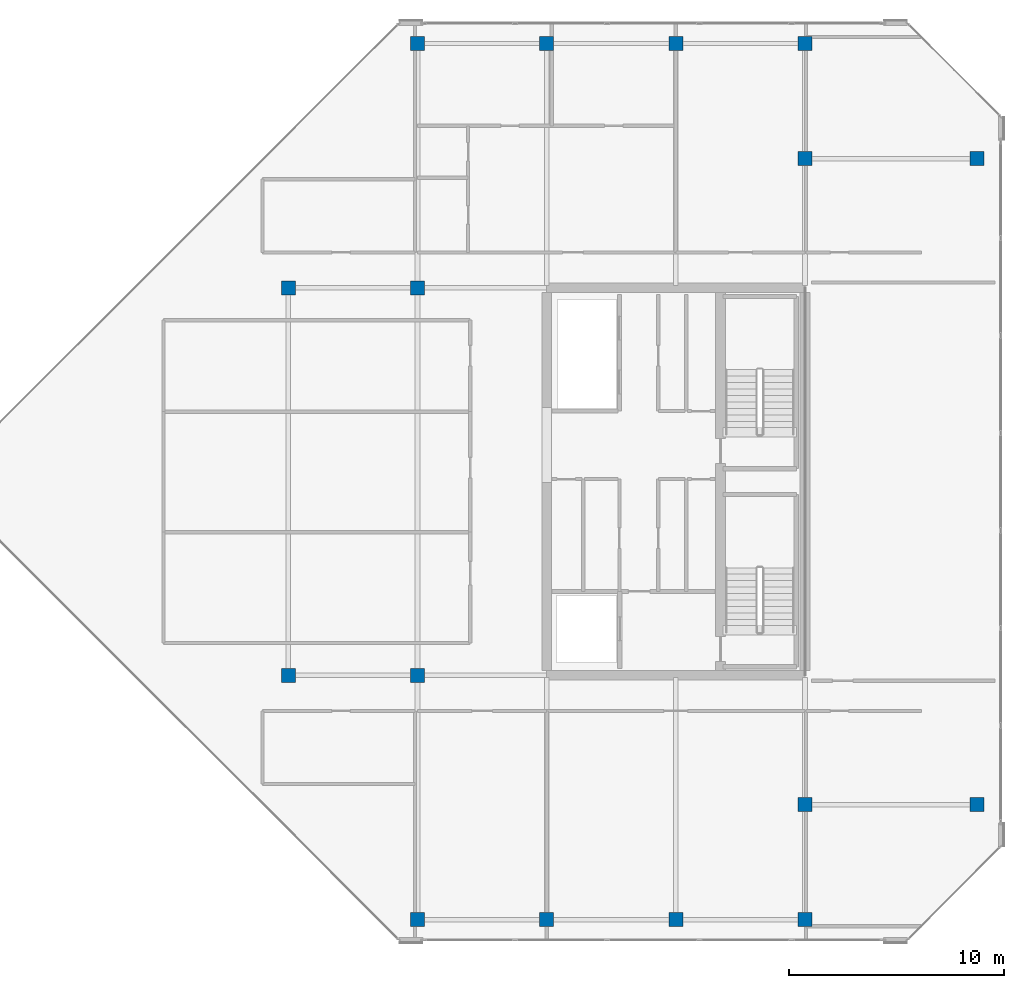
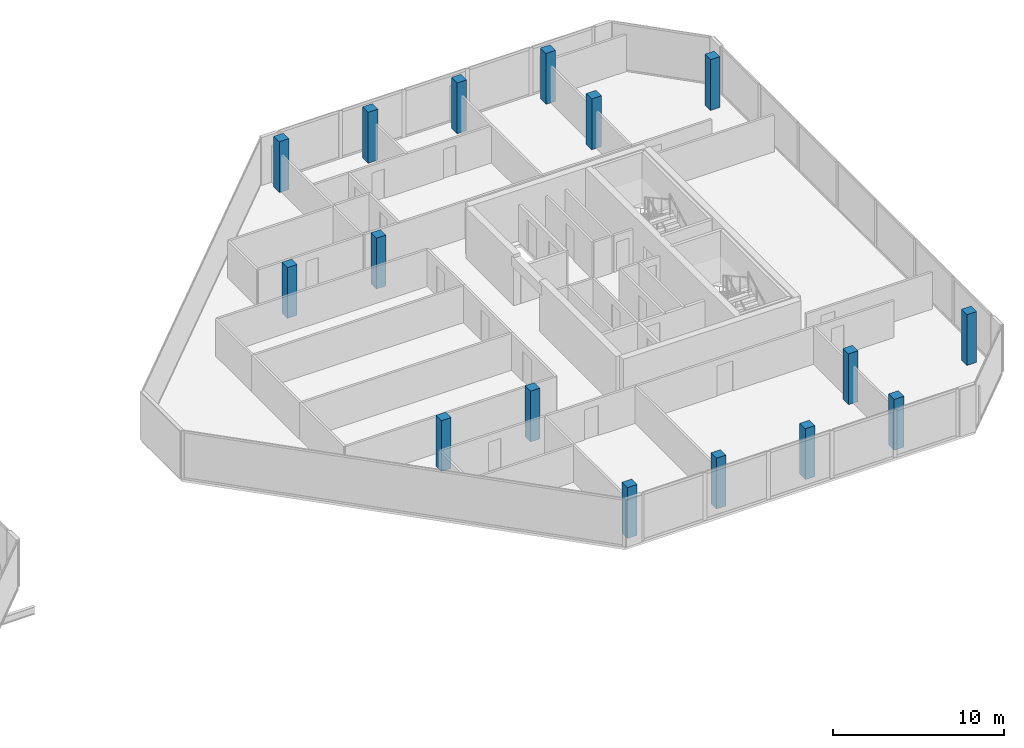
# One storey, part 1 of 28: 16 columns.
"""IFC4 building model written with IfcOpenShell, lengths in metres."""

import ifcopenshell
import ifcopenshell.guid

model = None  # the IFC model being written
_history = None  # IfcOwnerHistory: only IFC2X3 demands one
_inside = {}  # id of a spatial element -> (the spatial element, [elements in it])
_under = {}  # id of a project, library or spatial element -> (it, [spatial elements below it])
_declared = {}  # id of a project -> (the project, [libraries it declares])
_typed = {}  # id of a type object -> (the type object, [elements of that type])
_made_of = {}  # id of a material, layer set ... -> (it, [elements and type objects made of it])


def new_model(schema):
    """Start an empty IFC model of exactly this schema.

    Asked for "IFC4X3", IfcOpenShell would pick the latest addendum, in which some entities
    have other attributes; the version numbers below select the first issue.
    IFC2X3 requires an IfcOwnerHistory on every rooted entity: one is made here for all.
    """
    global model, _history
    if schema == "IFC4X3":
        model = ifcopenshell.file(schema_version=(4, 3, 0, 0))
    else:
        model = ifcopenshell.file(schema=schema)
    _inside.clear()
    _under.clear()
    _declared.clear()
    _typed.clear()
    _made_of.clear()
    _history = None
    if model.schema == "IFC2X3":
        org = make("IfcOrganization", Name="unknown")
        user = make(
            "IfcPersonAndOrganization",
            ThePerson=make("IfcPerson", FamilyName="unknown"),
            TheOrganization=org,
        )
        app = make(
            "IfcApplication",
            ApplicationDeveloper=org,
            Version="unknown",
            ApplicationFullName="unknown",
            ApplicationIdentifier="unknown",
        )
        _history = make(
            "IfcOwnerHistory",
            OwningUser=user,
            OwningApplication=app,
            ChangeAction="ADDED",
            CreationDate=0,
        )
    return model


def make(cls, **values):
    """One entity of the class cls with the attributes given. An attribute that is None is left unset."""
    return model.create_entity(
        cls, **{name: value for name, value in values.items() if value is not None}
    )


def rooted(cls, **values):
    """An entity with a GlobalId (a new one), such as an element, a storey or a relation."""
    return make(cls, GlobalId=ifcopenshell.guid.new(), OwnerHistory=_history, **values)


def si_unit(unit_type, name, prefix=None):
    """IfcSIUnit, for example si_unit("LENGTHUNIT", "METRE", prefix="MILLI")."""
    return make("IfcSIUnit", UnitType=unit_type, Prefix=prefix, Name=name)


def assignment(units):
    """IfcUnitAssignment: the units of a project."""
    return None if units is None else make("IfcUnitAssignment", Units=units)


def point(xyz):
    """IfcCartesianPoint."""
    return None if xyz is None else make("IfcCartesianPoint", Coordinates=xyz)


def direction(xyz):
    """IfcDirection."""
    return None if xyz is None else make("IfcDirection", DirectionRatios=xyz)


def frame(location, z_axis=None, x_axis=None):
    """IfcAxis2Placement3D, a coordinate frame: its origin and axes. An axis left out is left unset."""
    return make(
        "IfcAxis2Placement3D",
        Location=point(location),
        Axis=direction(z_axis),
        RefDirection=direction(x_axis),
    )


def frame_2d(location, x_axis=None):
    """IfcAxis2Placement2D, a coordinate frame in the plane: its origin and x axis."""
    return make(
        "IfcAxis2Placement2D", Location=point(location), RefDirection=direction(x_axis)
    )


def origin():
    """The frame at (0, 0, 0) with its axes left unset."""
    return frame((0.0, 0.0, 0.0))


def origin_2d():
    """The frame at (0, 0) in the plane with its x axis left unset."""
    return frame_2d((0.0, 0.0))


def place(relative_to, where):
    """IfcLocalPlacement: puts the frame where relative to a parent placement (None: the world)."""
    return make(
        "IfcLocalPlacement", PlacementRelTo=relative_to, RelativePlacement=where
    )


def context(
    kind, dimensions, precision=None, world=None, true_north=None, identifier=None
):
    """IfcGeometricRepresentationContext, for example the 3D "Model" context."""
    return make(
        "IfcGeometricRepresentationContext",
        ContextIdentifier=identifier,
        ContextType=kind,
        CoordinateSpaceDimension=dimensions,
        Precision=precision,
        WorldCoordinateSystem=world,
        TrueNorth=true_north,
    )


def subcontext(parent, identifier, kind, view, scale=None):
    """IfcGeometricRepresentationSubContext, for example "Body" below "Model"."""
    return make(
        "IfcGeometricRepresentationSubContext",
        ContextIdentifier=identifier,
        ContextType=kind,
        ParentContext=parent,
        TargetScale=scale,
        TargetView=view,
    )


def project(units=None, contexts=None):
    """IfcProject with its units and contexts."""
    return rooted(
        "IfcProject",
        Name="project",
        RepresentationContexts=contexts,
        UnitsInContext=assignment(units),
    )


def spatial(cls, under=None, at=None, **own):
    """A site, building, storey or space (cls), placed at a placement, below another one or the project."""
    s = rooted(cls, ObjectPlacement=at, **own)
    if under is not None:
        _under.setdefault(under.id(), (under, []))[1].append(s)
    return s


def profile(cls, at=None, kind="AREA", **sizes):
    """A parametric profile (cls). Its sizes go by their IFC names, for example OverallWidth=200.0."""
    return make(cls, ProfileType=kind, Position=at, **sizes)


def rectangle(**sizes):
    """IfcRectangleProfileDef."""
    return profile("IfcRectangleProfileDef", **sizes)


def extrude(swept, where, along, depth):
    """IfcExtrudedAreaSolid: the profile swept, set in the frame where, extruded along a direction by depth."""
    return make(
        "IfcExtrudedAreaSolid",
        SweptArea=swept,
        Position=where,
        ExtrudedDirection=direction(along),
        Depth=depth,
    )


def shape(context_of_items, identifier, shape_type, items):
    """IfcShapeRepresentation: the items that make up one representation, for example the "Body"."""
    return make(
        "IfcShapeRepresentation",
        ContextOfItems=context_of_items,
        RepresentationIdentifier=identifier,
        RepresentationType=shape_type,
        Items=items,
    )


def material(Name=None, Category=None):
    """IfcMaterial."""
    return make("IfcMaterial", Name=Name, Category=Category)


def material_profile(
    of_material, cross_section, Name=None, Category=None, Priority=None
):
    """IfcMaterialProfile: a cross section and its material."""
    return make(
        "IfcMaterialProfile",
        Name=Name,
        Material=of_material,
        Profile=cross_section,
        Priority=Priority,
        Category=Category,
    )


def profile_set(profiles, Name=None, composite=None):
    """IfcMaterialProfileSet."""
    return make(
        "IfcMaterialProfileSet",
        Name=Name,
        MaterialProfiles=profiles,
        CompositeProfile=composite,
    )


def made_of(thing, what):
    """Note that an element or type object is made of a material, layer set ...; save() writes the relation."""
    if what is not None:
        _made_of.setdefault(what.id(), (what, []))[1].append(thing)
    return thing


def type_object(cls, material=None, **own):
    """A type object (cls), such as IfcWallType, which elements share."""
    return made_of(rooted(cls, **own), material)


def element(
    cls,
    number,
    at=None,
    inside=None,
    cuts=None,
    type_object=None,
    material=None,
    context=None,
    identifier="Body",
    shape_type=None,
    held_by="IfcProductDefinitionShape",
    body=None,
    shapes=None,
    **own,
):
    """One element of the class cls, such as IfcWall. Its Tag is "e" and its number.

    at: its placement. inside: the storey or other place that contains it. cuts: it is an
    opening in that element (IfcRelVoidsElement). A single representation is given by context,
    identifier, shape_type and body (its items); several are given by shapes. held_by: the class
    of the entity that holds the representations. save() writes the other relations.
    """
    e = rooted(cls, Tag="e%d" % number, ObjectPlacement=at, **own)
    if body is not None:
        shapes = [shape(context, identifier, shape_type, body)]
    if shapes is not None:
        e.Representation = make(held_by, Representations=shapes)
    if inside is not None:
        _inside.setdefault(inside.id(), (inside, []))[1].append(e)
    if cuts is not None:
        rooted(
            "IfcRelVoidsElement", RelatingBuildingElement=cuts, RelatedOpeningElement=e
        )
    if type_object is not None:
        _typed.setdefault(type_object.id(), (type_object, []))[1].append(e)
    return made_of(e, material)


def aggregate(whole, parts):
    """IfcRelAggregates: a whole, such as a stair, and the parts it consists of."""
    return rooted("IfcRelAggregates", RelatingObject=whole, RelatedObjects=parts)


def save(model, path):
    """Write the relations noted so far, then the file.

    IfcRelAggregates (storeys below a building ...), IfcRelContainedInSpatialStructure (elements
    in a storey), IfcRelDefinesByType, IfcRelAssociatesMaterial and IfcRelDeclares: one each for
    every whole, place, type object, material and project.
    """
    for whole, parts in _under.values():
        aggregate(whole, parts)
    for where, things in _inside.values():
        rooted(
            "IfcRelContainedInSpatialStructure",
            RelatedElements=things,
            RelatingStructure=where,
        )
    for kind, things in _typed.values():
        rooted("IfcRelDefinesByType", RelatedObjects=things, RelatingType=kind)
    for what, things in _made_of.values():
        rooted("IfcRelAssociatesMaterial", RelatedObjects=things, RelatingMaterial=what)
    for by, libraries in _declared.values():
        rooted("IfcRelDeclares", RelatingContext=by, RelatedDefinitions=libraries)
    model.write(path)


model = new_model("IFC4")

# Units and contexts
model_context = context("Model", 3, precision=1e-05, world=origin(), true_north=direction((0.0, 1.0)))
body_context = subcontext(model_context, "Body", "Model", "MODEL_VIEW")
ifc_project = project(units=[si_unit("LENGTHUNIT", "METRE"), si_unit("AREAUNIT", "SQUARE_METRE"), si_unit("VOLUMEUNIT", "CUBIC_METRE"), si_unit("PLANEANGLEUNIT", "RADIAN"), si_unit("MASSUNIT", "GRAM", prefix="KILO")], contexts=[model_context])

# Site, building, storey
site_placement = place(None, origin())
site = spatial("IfcSite", under=ifc_project, at=site_placement, CompositionType="ELEMENT")
building_placement = place(site_placement, origin())
building = spatial("IfcBuilding", under=site, at=building_placement, Name="Tanjung Sevakor Pilgrim Tower", CompositionType="ELEMENT")
storey_placement = place(building_placement, frame((0.0, 0.0, 257.070068359375)))
storey = spatial("IfcBuildingStorey", under=building, at=storey_placement, Name="L72", CompositionType="ELEMENT", Elevation=257.070068359375)

# Columns
ifc_material = material(Name="Concrete C60/75", Category="concrete")
ifc_material_profile = material_profile(ifc_material, rectangle(XDim=0.64990234375, YDim=0.64990234375, at=origin_2d()))
ifc_profile_set = profile_set([ifc_material_profile], Name="Concrete C60/75")
column_type = type_object("IfcColumnType", Name="COL-C-T650-RC_650x650", PredefinedType="COLUMN", material=ifc_profile_set)
for number, where, z_axis, x_axis, name in (
    (1, (66.0, 24.60009765625, 0.0), (0.0, 0.0, 1.0), (1.0, 0.0, 0.0), "L72 Column SPE-066-246"),
    (2, (66.0, 42.60009765625, 0.0), (0.0, 0.0, 1.0), (1.0, 0.0, 0.0), "L72 Column SPE-066-426"),
    (3, (72.0, 24.60009765625, 0.0), (0.0, 0.0, 1.0), (1.0, 0.0, 0.0), "L72 Column SPE-072-246"),
    (4, (72.0, 42.60009765625, 0.0), (0.0, 0.0, 1.0), (1.0, 0.0, 0.0), "L72 Column SPE-072-426"),
    (5, (90.0, 18.60009765625, 0.0), (0.0, 0.0, 1.0), (1.0, 0.0, 0.0), "L72 Column TCE-0900-186"),
    (6, (90.0, 48.60009765625, 0.0), (0.0, 0.0, 1.0), (1.0, 0.0, 0.0), "L72 Column TCE-0900-486"),
    (7, (98.0, 18.60009765625, 0.0), (0.0, 0.0, 1.0), (1.0, 0.0, 0.0), "L72 Column TCE-0980-186"),
    (8, (98.0, 48.60009765625, 0.0), (0.0, 0.0, 1.0), (1.0, 0.0, 0.0), "L72 Column TCE-0980-486"),
    (9, (72.0, 13.25, 0.0), (0.0, 0.0, 1.0), (1.0, 0.0, 0.0), "L72 Column TC4-072-132"),
    (10, (72.0, 53.949951171875, 0.0), (0.0, 0.0, 1.0), (1.0, 0.0, 0.0), "L72 Column TC4-072-540"),
    (11, (78.0, 13.25, 0.0), (0.0, 0.0, 1.0), (1.0, 0.0, 0.0), "L72 Column TC4-078-132"),
    (12, (78.0, 53.949951171875, 0.0), (0.0, 0.0, 1.0), (1.0, 0.0, 0.0), "L72 Column TC4-078-540"),
    (13, (84.0, 13.25, 0.0), (0.0, 0.0, 1.0), (1.0, 0.0, 0.0), "L72 Column TC4-084-132"),
    (14, (84.0, 53.949951171875, 0.0), (0.0, 0.0, 1.0), (1.0, 0.0, 0.0), "L72 Column TC4-084-540"),
    (15, (90.0, 13.25, 0.0), (0.0, 0.0, 1.0), (1.0, 0.0, 0.0), "L72 Column TC4-090-132"),
    (16, (90.0, 53.949951171875, 0.0), (0.0, 0.0, 1.0), (1.0, 0.0, 0.0), "L72 Column TC4-090-540"),
):
    element("IfcColumn", number, at=place(storey_placement, frame(where, z_axis=z_axis, x_axis=x_axis)), inside=storey, type_object=column_type, Name=name, PredefinedType="COLUMN", context=body_context, shape_type="SweptSolid", body=[
        extrude(rectangle(XDim=0.64990234375, YDim=0.64990234375, at=origin_2d()), origin(), (0.0, 0.0, 1.0), 3.6298828125),
    ])

save(model, "model.ifc")
